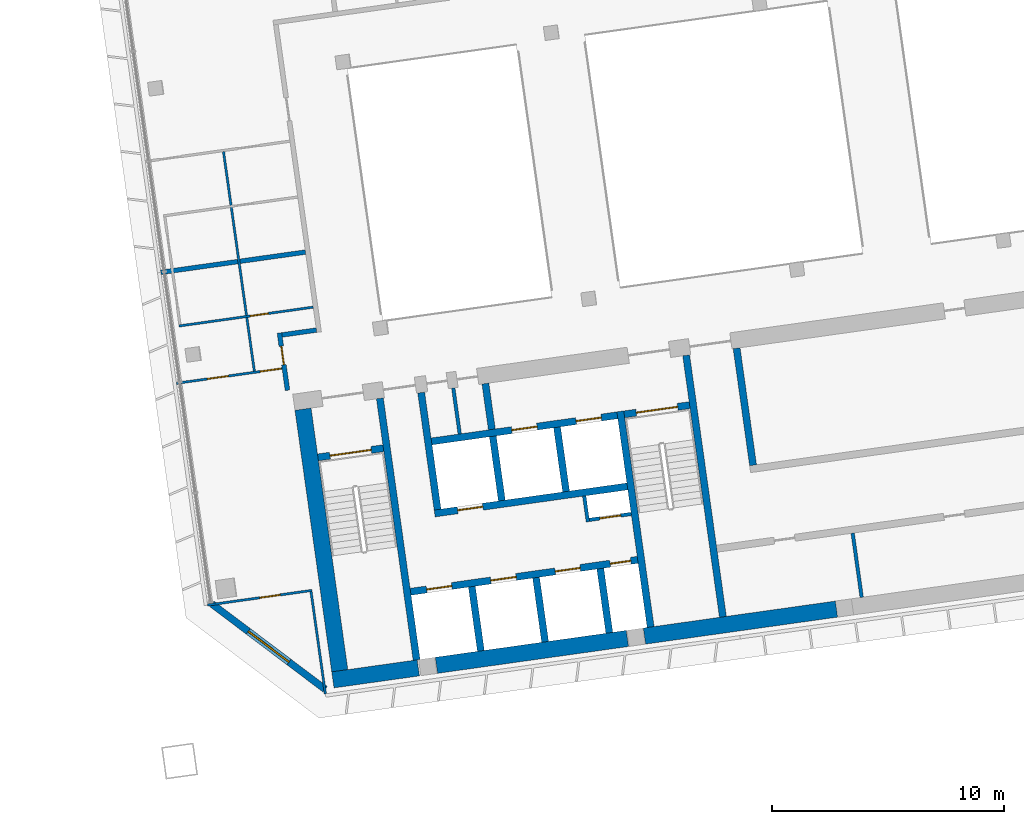
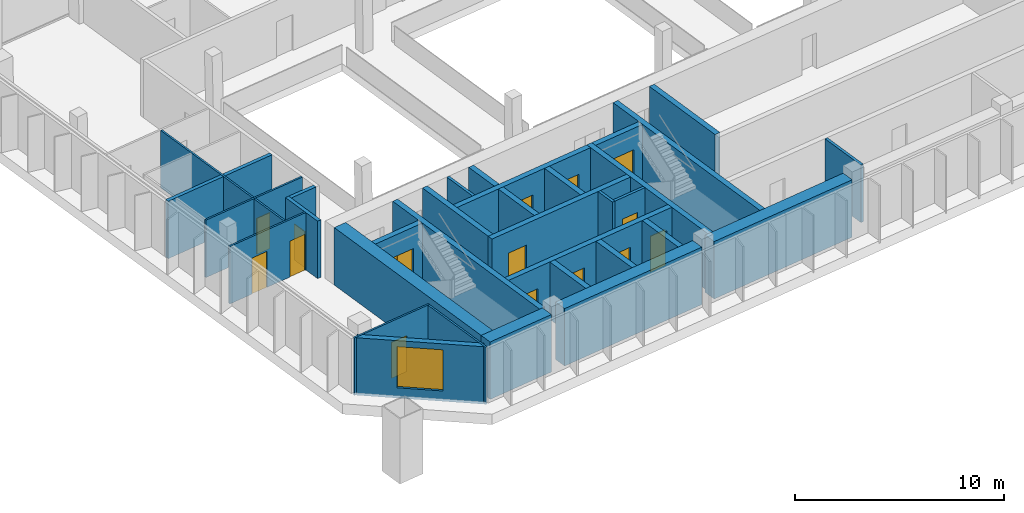
# One storey, part 21 of 28: 33 walls, 15 doors, 1 window, 16 openings.
"""IFC4 building model written with IfcOpenShell, lengths in metres."""

from ifc_helpers import new_model, si_unit, direction, frame, frame_2d, origin, place, context, subcontext, project, spatial, rectangle, extrude, material, layer, layer_set, type_object, element, fill, save


model = new_model("IFC4")

# Units and contexts
model_context = context("Model", 3, precision=1e-05, world=origin(), true_north=direction((0.0, 1.0)))
body_context = subcontext(model_context, "Body", "Model", "MODEL_VIEW")
ifc_project = project(units=[si_unit("LENGTHUNIT", "METRE"), si_unit("AREAUNIT", "SQUARE_METRE"), si_unit("VOLUMEUNIT", "CUBIC_METRE"), si_unit("PLANEANGLEUNIT", "RADIAN"), si_unit("MASSUNIT", "GRAM", prefix="KILO")], contexts=[model_context])

# Site, building, storey
site_placement = place(None, origin())
site = spatial("IfcSite", under=ifc_project, at=site_placement, CompositionType="ELEMENT")
building_placement = place(site_placement, origin())
building = spatial("IfcBuilding", under=site, at=building_placement, Name="Mirante Cascada Hotel Towers", CompositionType="ELEMENT")
storey_placement = place(building_placement, frame((0.0, 0.0, 165.0)))
storey = spatial("IfcBuildingStorey", under=building, at=storey_placement, Name="L38", CompositionType="ELEMENT", Elevation=165.0)

# Walls
ifc_material_1 = material(Name="Fire-rated plasterboard on metal studs")
ifc_layer_1 = layer(ifc_material_1, 0.2)
ifc_layer_set_1 = layer_set([ifc_layer_1], Name="Compartment wall 200 EI 120")
wall_type_1 = type_object("IfcWallType", Name="Compartment wall 200 EI 120", PredefinedType="PARTITIONING", material=ifc_layer_set_1)
wall_1_placement = place(storey_placement, frame((35.0284, -4.7267, 0.0), z_axis=(0.0, 0.0, 1.0), x_axis=(0.9902735, 0.1391343, 0.0)))
element("IfcWall", 1, at=wall_1_placement, inside=storey, type_object=wall_type_1, Name="Wall 2-L38-03", PredefinedType="PARTITIONING", context=body_context, shape_type="SweptSolid", body=[
    extrude(rectangle(XDim=1.5, YDim=0.2, at=frame_2d((0.75, 0.0))), origin(), (0.0, 0.0, 1.0), 3.35),
])
wall_2_placement = place(storey_placement, frame((29.7992, -2.0282, 0.0), z_axis=(0.0, 0.0, 1.0), x_axis=(0.9902674, 0.1391775, 0.0)))
element("IfcWall", 2, at=wall_2_placement, inside=storey, type_object=wall_type_1, Name="Wall 2-L38-07", PredefinedType="PARTITIONING", context=body_context, shape_type="SweptSolid", body=[
    extrude(rectangle(XDim=6.3027, YDim=0.2, at=frame_2d((3.1514, 0.0))), origin(), (0.0, 0.0, 1.0), 3.35),
])

# Wall, opening, door
wall_3_placement = place(storey_placement, frame((34.9155, -4.6416, 0.0), z_axis=(0.0, 0.0, 1.0), x_axis=(0.1391586, -0.9902701, 0.0)))
wall_3 = element("IfcWall", 3, at=wall_3_placement, inside=storey, type_object=wall_type_1, Name="Wall 2-L38-28", PredefinedType="PARTITIONING", context=body_context, shape_type="SweptSolid", body=[
    extrude(rectangle(XDim=2.5, YDim=0.2, at=frame_2d((1.25, 0.0))), origin(), (0.0, 0.0, 1.0), 3.35),
])
opening_1_placement = place(wall_3_placement, frame((0.5833, 0.0, 0.0)))
opening_1 = element("IfcOpeningElement", 4, at=opening_1_placement, cuts=wall_3, Name="Opening D2-L38-27", PredefinedType="OPENING", context=body_context, shape_type="SweptSolid", body=[
    extrude(rectangle(XDim=0.8, YDim=2.1, at=frame_2d((0.4, 1.05))), frame((0.0, 0.1, 0.0), z_axis=(0.0, -1.0, 0.0), x_axis=(1.0, 0.0, 0.0)), (0.0, 0.0, 1.0), 0.2),
])
ifc_material_2 = material(Name="Fire-rated timber door leaf", Category="wood")
door_type_1 = type_object("IfcDoorType", Name="Bathroom door DG4 800x2100 EI 60", OperationType="SINGLE_SWING_LEFT", PredefinedType="DOOR", material=ifc_material_2)
door_1_placement = place(opening_1_placement, origin())
door_1 = element("IfcDoor", 5, at=door_1_placement, inside=storey, type_object=door_type_1, Name="Door D2-L38-27", OperationType="SINGLE_SWING_LEFT", OverallHeight=2.1, OverallWidth=0.8, PredefinedType="DOOR", context=body_context, shape_type="SweptSolid", body=[
    extrude(rectangle(XDim=0.8, YDim=2.1, at=frame_2d((0.4, 1.05))), frame((0.0, 0.025, 0.0), z_axis=(0.0, -1.0, 0.0), x_axis=(1.0, 0.0, 0.0)), (0.0, 0.0, 1.0), 0.05),
])
fill(opening_1, door_1)

# Wall
ifc_material_3 = material(Name="Masonry block", Category="masonry")
ifc_layer_2 = layer(ifc_material_3, 0.15)
ifc_layer_set_2 = layer_set([ifc_layer_2], Name="Core room partition 150 block EI 30")
wall_type_2 = type_object("IfcWallType", Name="Core room partition 150 block EI 30", PredefinedType="PARTITIONING", material=ifc_layer_set_2)
wall_4_placement = place(storey_placement, frame((48.2295, -12.793, 0.0), z_axis=(0.0, 0.0, 1.0), x_axis=(-0.1391935, 0.9902652, 0.0)))
element("IfcWall", 6, at=wall_4_placement, inside=storey, type_object=wall_type_2, Name="Core wall partition T2 L38 2", PredefinedType="PARTITIONING", context=body_context, shape_type="SweptSolid", body=[
    extrude(rectangle(XDim=1.1251, YDim=0.15, at=frame_2d((0.5626, 0.0))), origin(), (0.0, 0.0, 1.0), 3.35),
])

# Wall, opening, door
wall_5_placement = place(storey_placement, frame((48.2933, -12.7083, 0.0), z_axis=(0.0, 0.0, 1.0), x_axis=(0.990268, 0.1391734, 0.0)))
wall_5 = element("IfcWall", 7, at=wall_5_placement, inside=storey, type_object=wall_type_2, Name="Core wall partition T2 L38 3", PredefinedType="PARTITIONING", context=body_context, shape_type="SweptSolid", body=[
    extrude(rectangle(XDim=1.8251, YDim=0.15, at=frame_2d((0.9126, 0.0))), origin(), (0.0, 0.0, 1.0), 3.35),
])
opening_2_placement = place(wall_5_placement, frame((0.4625, 0.0, 0.0)))
opening_2 = element("IfcOpeningElement", 8, at=opening_2_placement, cuts=wall_5, Name="Opening D2-38-C17", PredefinedType="OPENING", context=body_context, shape_type="SweptSolid", body=[
    extrude(rectangle(XDim=0.9, YDim=2.1, at=frame_2d((0.45, 1.05))), frame((0.0, 0.075, 0.0), z_axis=(0.0, -1.0, 0.0), x_axis=(1.0, 0.0, 0.0)), (0.0, 0.0, 1.0), 0.15),
])
ifc_material_4 = material(Name="Hollow metal fire door leaf")
door_type_2 = type_object("IfcDoorType", Name="Fire door 900x2100 FD60", OperationType="NOTDEFINED", PredefinedType="DOOR", material=ifc_material_4)
door_2_placement = place(opening_2_placement, frame((0.9, 0.0, 0.0), z_axis=(0.0, 0.0, 1.0), x_axis=(-1.0, 0.0, 0.0)))
door_2 = element("IfcDoor", 9, at=door_2_placement, inside=storey, type_object=door_type_2, Name="Riser door T2 L38 17", OperationType="SINGLE_SWING_RIGHT", OverallHeight=2.1, OverallWidth=0.9, PredefinedType="DOOR", context=body_context, shape_type="SweptSolid", body=[
    extrude(rectangle(XDim=0.9, YDim=2.1, at=frame_2d((0.45, 1.05))), frame((0.0, 0.025, 0.0), z_axis=(0.0, -1.0, 0.0), x_axis=(1.0, 0.0, 0.0)), (0.0, 0.0, 1.0), 0.05),
])
fill(opening_2, door_2)

# Walls
wall_6_placement = place(storey_placement, frame((42.6979, -9.0009, 0.0), z_axis=(0.0, 0.0, 1.0), x_axis=(-0.1391529, 0.9902709, 0.0)))
element("IfcWall", 10, at=wall_6_placement, inside=storey, type_object=wall_type_2, Name="Core wall partition T2 L38 4", PredefinedType="PARTITIONING", context=body_context, shape_type="SweptSolid", body=[
    extrude(rectangle(XDim=2.0, YDim=0.15, at=frame_2d((1.0, 0.0))), origin(), (0.0, 0.0, 1.0), 3.35),
])
wall_7_placement = place(storey_placement, frame((60.0485, -16.0548, 0.0), z_axis=(0.0, 0.0, 1.0), x_axis=(-0.139181, 0.990267, 0.0)))
element("IfcWall", 11, at=wall_7_placement, inside=storey, type_object=wall_type_2, Name="Core wall partition T2 L38 6", PredefinedType="PARTITIONING", context=body_context, shape_type="SweptSolid", body=[
    extrude(rectangle(XDim=2.8, YDim=0.15, at=frame_2d((1.4, 0.0))), origin(), (0.0, 0.0, 1.0), 3.35),
])
ifc_material_5 = material(Name="Masonry block", Category="masonry")
ifc_layer_3 = layer(ifc_material_5, 0.3)
ifc_layer_set_3 = layer_set([ifc_layer_3], Name="Core wall 300 block EI 120")
wall_type_3 = type_object("IfcWallType", Name="Core wall 300 block EI 120", PredefinedType="PARTITIONING", material=ifc_layer_set_3)
wall_8_placement = place(storey_placement, frame((44.0843, -8.8061, 0.0), z_axis=(0.0, 0.0, 1.0), x_axis=(-0.1391951, 0.990265, 0.0)))
element("IfcWall", 12, at=wall_8_placement, inside=storey, type_object=wall_type_3, Name="Core wall partition T2 L38 1", PredefinedType="PARTITIONING", context=body_context, shape_type="SweptSolid", body=[
    extrude(rectangle(XDim=2.0001, YDim=0.3, at=frame_2d((1.0001, 0.0))), origin(), (0.0, 0.0, 1.0), 3.35),
])

# Wall, opening, door
ifc_material_6 = material(Name="Plasterboard on metal studs")
ifc_layer_4 = layer(ifc_material_6, 0.1)
ifc_layer_set_4 = layer_set([ifc_layer_4], Name="Partition 100")
wall_type_4 = type_object("IfcWallType", Name="Partition 100", PredefinedType="PARTITIONING", material=ifc_layer_set_4)
wall_9_placement = place(storey_placement, frame((31.8172, -16.3871, 0.0), z_axis=(0.0, 0.0, 1.0), x_axis=(0.9902691, 0.1391656, 0.0)))
wall_9 = element("IfcWall", 13, at=wall_9_placement, inside=storey, type_object=wall_type_4, Name="Wall 2-L38-01", PredefinedType="PARTITIONING", context=body_context, shape_type="SweptSolid", body=[
    extrude(rectangle(XDim=4.55, YDim=0.1, at=frame_2d((2.275, 0.0))), origin(), (0.0, 0.0, 1.0), 3.35),
])
opening_3_placement = place(wall_9_placement, frame((2.2711, 0.0, 0.0)))
opening_3 = element("IfcOpeningElement", 14, at=opening_3_placement, cuts=wall_9, Name="Opening D2-L38-01", PredefinedType="OPENING", context=body_context, shape_type="SweptSolid", body=[
    extrude(rectangle(XDim=0.9, YDim=2.1, at=frame_2d((0.45, 1.05))), frame((0.0, 0.05, 0.0), z_axis=(0.0, -1.0, 0.0), x_axis=(1.0, 0.0, 0.0)), (0.0, 0.0, 1.0), 0.1),
])
ifc_material_7 = material(Name="Timber door leaf", Category="wood")
door_type_3 = type_object("IfcDoorType", Name="Room door DG3 900x2100", OperationType="SINGLE_SWING_LEFT", PredefinedType="DOOR", material=ifc_material_7)
door_3_placement = place(opening_3_placement, origin())
door_3 = element("IfcDoor", 15, at=door_3_placement, inside=storey, type_object=door_type_3, Name="Door D2-L38-01", OperationType="SINGLE_SWING_LEFT", OverallHeight=2.1, OverallWidth=0.9, PredefinedType="DOOR", context=body_context, shape_type="SweptSolid", body=[
    extrude(rectangle(XDim=0.9, YDim=2.1, at=frame_2d((0.45, 1.05))), frame((0.0, 0.025, 0.0), z_axis=(0.0, -1.0, 0.0), x_axis=(1.0, 0.0, 0.0)), (0.0, 0.0, 1.0), 0.05),
])
fill(opening_3, door_3)

# Wall, openings, doors
wall_10_placement = place(storey_placement, frame((35.0298, -6.1739, 0.0), z_axis=(0.0, 0.0, 1.0), x_axis=(-0.9902676, -0.1391763, 0.0)))
wall_10 = element("IfcWall", 16, at=wall_10_placement, inside=storey, type_object=wall_type_4, Name="Wall 2-L38-02", PredefinedType="PARTITIONING", context=body_context, shape_type="SweptSolid", body=[
    extrude(rectangle(XDim=4.6028, YDim=0.1, at=frame_2d((2.3014, 0.0))), origin(), (0.0, 0.0, 1.0), 3.35),
])
opening_4_placement = place(wall_10_placement, frame((2.3528, 0.0, 0.0)))
opening_4 = element("IfcOpeningElement", 17, at=opening_4_placement, cuts=wall_10, Name="Opening D2-L38-02", PredefinedType="OPENING", context=body_context, shape_type="SweptSolid", body=[
    extrude(rectangle(XDim=0.9, YDim=2.1, at=frame_2d((0.45, 1.05))), frame((0.0, 0.05, 0.0), z_axis=(0.0, -1.0, 0.0), x_axis=(1.0, 0.0, 0.0)), (0.0, 0.0, 1.0), 0.1),
])
opening_5_placement = place(wall_10_placement, frame((0.05, 0.0, 0.0)))
opening_5 = element("IfcOpeningElement", 18, at=opening_5_placement, cuts=wall_10, Name="Opening D2-L38-03", PredefinedType="OPENING", context=body_context, shape_type="SweptSolid", body=[
    extrude(rectangle(XDim=0.9, YDim=2.1, at=frame_2d((0.45, 1.05))), frame((0.0, 0.05, 0.0), z_axis=(0.0, -1.0, 0.0), x_axis=(1.0, 0.0, 0.0)), (0.0, 0.0, 1.0), 0.1),
])
door_4_placement = place(opening_4_placement, origin())
door_4 = element("IfcDoor", 19, at=door_4_placement, inside=storey, type_object=door_type_3, Name="Door D2-L38-02", OperationType="SINGLE_SWING_LEFT", OverallHeight=2.1, OverallWidth=0.9, PredefinedType="DOOR", context=body_context, shape_type="SweptSolid", body=[
    extrude(rectangle(XDim=0.9, YDim=2.1, at=frame_2d((0.45, 1.05))), frame((0.0, 0.025, 0.0), z_axis=(0.0, -1.0, 0.0), x_axis=(1.0, 0.0, 0.0)), (0.0, 0.0, 1.0), 0.05),
])
fill(opening_4, door_4)
door_5_placement = place(opening_5_placement, origin())
door_5 = element("IfcDoor", 20, at=door_5_placement, inside=storey, type_object=door_type_3, Name="Door D2-L38-03", OperationType="SINGLE_SWING_LEFT", OverallHeight=2.1, OverallWidth=0.9, PredefinedType="DOOR", context=body_context, shape_type="SweptSolid", body=[
    extrude(rectangle(XDim=0.9, YDim=2.1, at=frame_2d((0.45, 1.05))), frame((0.0, 0.025, 0.0), z_axis=(0.0, -1.0, 0.0), x_axis=(1.0, 0.0, 0.0)), (0.0, 0.0, 1.0), 0.05),
])
fill(opening_5, door_5)

# Wall, opening, door
wall_11_placement = place(storey_placement, frame((36.3747, -3.5277, 0.0), z_axis=(0.0, 0.0, 1.0), x_axis=(-0.9902696, -0.1391624, 0.0)))
wall_11 = element("IfcWall", 21, at=wall_11_placement, inside=storey, type_object=wall_type_4, Name="Wall 2-L38-06", PredefinedType="PARTITIONING", context=body_context, shape_type="SweptSolid", body=[
    extrude(rectangle(XDim=5.8514, YDim=0.1, at=frame_2d((2.9257, 0.0))), origin(), (0.0, 0.0, 1.0), 3.35),
])
opening_6_placement = place(wall_11_placement, frame((1.9514, 0.0, 0.0)))
opening_6 = element("IfcOpeningElement", 22, at=opening_6_placement, cuts=wall_11, Name="Opening D2-L38-05", PredefinedType="OPENING", context=body_context, shape_type="SweptSolid", body=[
    extrude(rectangle(XDim=0.8, YDim=2.1, at=frame_2d((0.4, 1.05))), frame((0.0, 0.05, 0.0), z_axis=(0.0, -1.0, 0.0), x_axis=(1.0, 0.0, 0.0)), (0.0, 0.0, 1.0), 0.1),
])
ifc_material_8 = material(Name="Timber door leaf", Category="wood")
door_type_4 = type_object("IfcDoorType", Name="Bathroom door DG4 800x2100", OperationType="SINGLE_SWING_LEFT", PredefinedType="DOOR", material=ifc_material_8)
door_6_placement = place(opening_6_placement, frame((0.8, 0.0, 0.0), z_axis=(0.0, 0.0, 1.0), x_axis=(-1.0, 0.0, 0.0)))
door_6 = element("IfcDoor", 23, at=door_6_placement, inside=storey, type_object=door_type_4, Name="Door D2-L38-05", OperationType="SINGLE_SWING_RIGHT", OverallHeight=2.1, OverallWidth=0.8, PredefinedType="DOOR", context=body_context, shape_type="SweptSolid", body=[
    extrude(rectangle(XDim=0.8, YDim=2.1, at=frame_2d((0.4, 1.05))), frame((0.0, 0.025, 0.0), z_axis=(0.0, -1.0, 0.0), x_axis=(1.0, 0.0, 0.0)), (0.0, 0.0, 1.0), 0.05),
])
fill(opening_6, door_6)

# Walls
wall_12_placement = place(storey_placement, frame((32.5018, 3.1819, 0.0), z_axis=(0.0, 0.0, 1.0), x_axis=(0.1391717, -0.9902683, 0.0)))
element("IfcWall", 24, at=wall_12_placement, inside=storey, type_object=wall_type_4, Name="Wall 2-L38-26", PredefinedType="PARTITIONING", context=body_context, shape_type="SweptSolid", body=[
    extrude(rectangle(XDim=9.5666, YDim=0.1, at=frame_2d((4.7833, 0.0))), origin(), (0.0, 0.0, 1.0), 3.35),
])
wall_13_placement = place(storey_placement, frame((36.8997, -20.217, 0.0), z_axis=(0.0, 0.0, 1.0), x_axis=(-0.1391904, 0.9902656, 0.0)))
element("IfcWall", 25, at=wall_13_placement, inside=storey, type_object=wall_type_4, Name="Wall 2-L38-27", PredefinedType="PARTITIONING", context=body_context, shape_type="SweptSolid", body=[
    extrude(rectangle(XDim=4.45, YDim=0.1, at=frame_2d((2.225, 0.0))), origin(), (0.0, 0.0, 1.0), 3.35),
])

# Wall, opening, window
ifc_material_9 = material(Name="Precast concrete C40/50", Category="concrete")
ifc_layer_5 = layer(ifc_material_9, 0.3)
ifc_layer_set_5 = layer_set([ifc_layer_5], Name="Precast concrete C40/50 cladding wall 300")
wall_type_5 = type_object("IfcWallType", Name="Precast concrete C40/50 cladding wall 300", PredefinedType="STANDARD", material=ifc_layer_set_5)
wall_14_placement = place(storey_placement, frame((32.0066, -16.342, 0.0), z_axis=(0.0, 0.0, 1.0), x_axis=(0.7986362, -0.6018141, 0.0)))
wall_14 = element("IfcWall", 26, at=wall_14_placement, inside=storey, type_object=wall_type_5, Name="Corner cladding wall T2 L38 inner rear", PredefinedType="STANDARD", context=body_context, shape_type="SweptSolid", body=[
    extrude(rectangle(XDim=6.1157, YDim=0.3, at=frame_2d((3.0578, 0.0))), origin(), (0.0, 0.0, 1.0), 3.35),
])
opening_7_placement = place(wall_14_placement, frame((1.9578, 0.0, 0.6)))
opening_7 = element("IfcOpeningElement", 27, at=opening_7_placement, cuts=wall_14, Name="Opening W2-38-04", PredefinedType="OPENING", context=body_context, shape_type="SweptSolid", body=[
    extrude(rectangle(XDim=2.2, YDim=2.4, at=frame_2d((1.1, 1.2))), frame((0.0, 0.15, 0.0), z_axis=(0.0, -1.0, 0.0), x_axis=(1.0, 0.0, 0.0)), (0.0, 0.0, 1.0), 0.3),
])
ifc_material_10 = material(Name="Aluminium frame with clear double glazing", Category="aluminium")
window_type = type_object("IfcWindowType", Name="Corner suite window 2200x2400", PartitioningType="DOUBLE_PANEL_VERTICAL", PredefinedType="WINDOW", material=ifc_material_10)
window_placement = place(opening_7_placement, origin())
window = element("IfcWindow", 28, at=window_placement, inside=storey, type_object=window_type, Name="Window W2-38-04", OverallHeight=2.4, OverallWidth=2.2, PartitioningType="SINGLE_PANEL", PredefinedType="WINDOW", context=body_context, shape_type="SweptSolid", body=[
    extrude(rectangle(XDim=2.2, YDim=2.4, at=frame_2d((1.1, 1.2))), frame((0.0, 0.03, 0.0), z_axis=(0.0, -1.0, 0.0), x_axis=(1.0, 0.0, 0.0)), (0.0, 0.0, 1.0), 0.06),
])
fill(opening_7, window)

# Walls
ifc_material_11 = material(Name="Concrete C50/60", Category="concrete")
ifc_layer_6 = layer(ifc_material_11, 0.3)
ifc_layer_set_6 = layer_set([ifc_layer_6], Name="RC core wall 300 C50/60")
wall_type_6 = type_object("IfcWallType", Name="RC core wall 300 C50/60", PredefinedType="SHEAR", material=ifc_layer_set_6)
wall_15_placement = place(storey_placement, frame((40.8373, -18.7548, 0.0), z_axis=(0.0, 0.0, 1.0), x_axis=(-0.1391749, 0.9902678, 0.0)))
element("IfcWall", 29, at=wall_15_placement, inside=storey, type_object=wall_type_6, Name="Core wall T2:L38:5", PredefinedType="SHEAR", context=body_context, shape_type="SweptSolid", body=[
    extrude(rectangle(XDim=11.4, YDim=0.3, at=frame_2d((5.7, 0.0))), origin(), (0.0, 0.0, 1.0), 3.35),
])
wall_16_placement = place(storey_placement, frame((50.938, -17.3352, 0.0), z_axis=(0.0, 0.0, 1.0), x_axis=(-0.1391706, 0.9902684, 0.0)))
element("IfcWall", 30, at=wall_16_placement, inside=storey, type_object=wall_type_6, Name="Core wall T2:L38:6", PredefinedType="SHEAR", context=body_context, shape_type="SweptSolid", body=[
    extrude(rectangle(XDim=9.4, YDim=0.3, at=frame_2d((4.7, 0.0))), origin(), (0.0, 0.0, 1.0), 3.35),
])
wall_17_placement = place(storey_placement, frame((54.0574, -16.8968, 0.0), z_axis=(0.0, 0.0, 1.0), x_axis=(-0.1391761, 0.9902677, 0.0)))
element("IfcWall", 31, at=wall_17_placement, inside=storey, type_object=wall_type_6, Name="Core wall T2:L38:7", PredefinedType="SHEAR", context=body_context, shape_type="SweptSolid", body=[
    extrude(rectangle(XDim=11.3999, YDim=0.3, at=frame_2d((5.7, 0.0))), origin(), (0.0, 0.0, 1.0), 3.35),
])

# Wall, opening, door
wall_18_placement = place(storey_placement, frame((36.5791, -10.0123, 0.0), z_axis=(0.0, 0.0, 1.0), x_axis=(0.9902704, 0.1391564, 0.0)))
wall_18 = element("IfcWall", 32, at=wall_18_placement, inside=storey, type_object=wall_type_6, Name="Core wall T2:L38:9", PredefinedType="SHEAR", context=body_context, shape_type="SweptSolid", body=[
    extrude(rectangle(XDim=2.85, YDim=0.3, at=frame_2d((1.425, 0.0))), origin(), (0.0, 0.0, 1.0), 3.35),
])
opening_8_placement = place(wall_18_placement, frame((0.525, 0.0, 0.0)))
opening_8 = element("IfcOpeningElement", 33, at=opening_8_placement, cuts=wall_18, Name="Opening D2-38-C07", PredefinedType="OPENING", context=body_context, shape_type="SweptSolid", body=[
    extrude(rectangle(XDim=1.8, YDim=2.1, at=frame_2d((0.9, 1.05))), frame((0.0, 0.15, 0.0), z_axis=(0.0, -1.0, 0.0), x_axis=(1.0, 0.0, 0.0)), (0.0, 0.0, 1.0), 0.3),
])
ifc_material_12 = material(Name="Hollow metal fire door leaf")
door_type_5 = type_object("IfcDoorType", Name="Double fire door 1800x2100 FD60", OperationType="DOUBLE_DOOR_SINGLE_SWING", PredefinedType="DOOR", material=ifc_material_12)
door_7_placement = place(opening_8_placement, frame((1.8, 0.0, 0.0), z_axis=(0.0, 0.0, 1.0), x_axis=(-1.0, 0.0, 0.0)))
door_7 = element("IfcDoor", 34, at=door_7_placement, inside=storey, type_object=door_type_5, Name="Stair door T2 L38 7", OperationType="DOUBLE_DOOR_SINGLE_SWING", OverallHeight=2.1, OverallWidth=1.8, PredefinedType="DOOR", context=body_context, shape_type="SweptSolid", body=[
    extrude(rectangle(XDim=0.895, YDim=2.1, at=frame_2d((0.4475, 1.05))), frame((0.0, 0.025, 0.0), z_axis=(0.0, -1.0, 0.0), x_axis=(1.0, 0.0, 0.0)), (0.0, 0.0, 1.0), 0.05),
    extrude(rectangle(XDim=0.895, YDim=2.1, at=frame_2d((1.3525, 1.05))), frame((0.0, 0.025, 0.0), z_axis=(0.0, -1.0, 0.0), x_axis=(1.0, 0.0, 0.0)), (0.0, 0.0, 1.0), 0.05),
])
fill(opening_8, door_7)

wall_19_placement = place(storey_placement, frame((49.7992, -8.1544, 0.0), z_axis=(0.0, 0.0, 1.0), x_axis=(0.9902656, 0.1391909, 0.0)))
wall_19 = element("IfcWall", 35, at=wall_19_placement, inside=storey, type_object=wall_type_6, Name="Core wall T2:L38:10", PredefinedType="SHEAR", context=body_context, shape_type="SweptSolid", body=[
    extrude(rectangle(XDim=2.85, YDim=0.3, at=frame_2d((1.425, 0.0))), origin(), (0.0, 0.0, 1.0), 3.35),
])
opening_9_placement = place(wall_19_placement, frame((0.525, 0.0, 0.0)))
opening_9 = element("IfcOpeningElement", 36, at=opening_9_placement, cuts=wall_19, Name="Opening D2-38-C09", PredefinedType="OPENING", context=body_context, shape_type="SweptSolid", body=[
    extrude(rectangle(XDim=1.8, YDim=2.1, at=frame_2d((0.9, 1.05))), frame((0.0, 0.15, 0.0), z_axis=(0.0, -1.0, 0.0), x_axis=(1.0, 0.0, 0.0)), (0.0, 0.0, 1.0), 0.3),
])
door_8_placement = place(opening_9_placement, frame((1.8, 0.0, 0.0), z_axis=(0.0, 0.0, 1.0), x_axis=(-1.0, 0.0, 0.0)))
door_8 = element("IfcDoor", 37, at=door_8_placement, inside=storey, type_object=door_type_5, Name="Stair door T2 L38 9", OperationType="DOUBLE_DOOR_SINGLE_SWING", OverallHeight=2.1, OverallWidth=1.8, PredefinedType="DOOR", context=body_context, shape_type="SweptSolid", body=[
    extrude(rectangle(XDim=0.895, YDim=2.1, at=frame_2d((0.4475, 1.05))), frame((0.0, 0.025, 0.0), z_axis=(0.0, -1.0, 0.0), x_axis=(1.0, 0.0, 0.0)), (0.0, 0.0, 1.0), 0.05),
    extrude(rectangle(XDim=0.895, YDim=2.1, at=frame_2d((1.3525, 1.05))), frame((0.0, 0.025, 0.0), z_axis=(0.0, -1.0, 0.0), x_axis=(1.0, 0.0, 0.0)), (0.0, 0.0, 1.0), 0.05),
])
fill(opening_9, door_8)

# Wall, openings, doors
wall_20_placement = place(storey_placement, frame((40.5753, -15.8126, 0.0), z_axis=(0.0, 0.0, 1.0), x_axis=(0.9902682, 0.1391725, 0.0)))
wall_20 = element("IfcWall", 38, at=wall_20_placement, inside=storey, type_object=wall_type_6, Name="Core wall T2:L38:12", PredefinedType="SHEAR", context=body_context, shape_type="SweptSolid", body=[
    extrude(rectangle(XDim=9.8999, YDim=0.3, at=frame_2d((4.95, 0.0))), origin(), (0.0, 0.0, 1.0), 3.35),
])
opening_10_placement = place(wall_20_placement, frame((0.7, 0.0, 0.0)))
opening_10 = element("IfcOpeningElement", 39, at=opening_10_placement, cuts=wall_20, Name="Opening LD", PredefinedType="OPENING", context=body_context, shape_type="SweptSolid", body=[
    extrude(rectangle(XDim=1.1, YDim=2.1, at=frame_2d((0.55, 1.05))), frame((0.0, 0.15, 0.0), z_axis=(0.0, -1.0, 0.0), x_axis=(1.0, 0.0, 0.0)), (0.0, 0.0, 1.0), 0.3),
])
opening_11_placement = place(wall_20_placement, frame((3.5, 0.0, 0.0)))
opening_11 = element("IfcOpeningElement", 40, at=opening_11_placement, cuts=wall_20, Name="Opening LD", PredefinedType="OPENING", context=body_context, shape_type="SweptSolid", body=[
    extrude(rectangle(XDim=1.1, YDim=2.1, at=frame_2d((0.55, 1.05))), frame((0.0, 0.15, 0.0), z_axis=(0.0, -1.0, 0.0), x_axis=(1.0, 0.0, 0.0)), (0.0, 0.0, 1.0), 0.3),
])
opening_12_placement = place(wall_20_placement, frame((6.3, 0.0, 0.0)))
opening_12 = element("IfcOpeningElement", 41, at=opening_12_placement, cuts=wall_20, Name="Opening LD", PredefinedType="OPENING", context=body_context, shape_type="SweptSolid", body=[
    extrude(rectangle(XDim=1.1, YDim=2.1, at=frame_2d((0.55, 1.05))), frame((0.0, 0.15, 0.0), z_axis=(0.0, -1.0, 0.0), x_axis=(1.0, 0.0, 0.0)), (0.0, 0.0, 1.0), 0.3),
])
opening_13_placement = place(wall_20_placement, frame((8.7, 0.0, 0.0)))
opening_13 = element("IfcOpeningElement", 42, at=opening_13_placement, cuts=wall_20, Name="Opening D2-38-C16", PredefinedType="OPENING", context=body_context, shape_type="SweptSolid", body=[
    extrude(rectangle(XDim=0.9, YDim=2.1, at=frame_2d((0.45, 1.05))), frame((0.0, 0.15, 0.0), z_axis=(0.0, -1.0, 0.0), x_axis=(1.0, 0.0, 0.0)), (0.0, 0.0, 1.0), 0.3),
])
door_9_placement = place(opening_13_placement, frame((0.9, 0.0, 0.0), z_axis=(0.0, 0.0, 1.0), x_axis=(-1.0, 0.0, 0.0)))
door_9 = element("IfcDoor", 43, at=door_9_placement, inside=storey, type_object=door_type_2, Name="Riser door T2 L38 16", OperationType="SINGLE_SWING_RIGHT", OverallHeight=2.1, OverallWidth=0.9, PredefinedType="DOOR", context=body_context, shape_type="SweptSolid", body=[
    extrude(rectangle(XDim=0.9, YDim=2.1, at=frame_2d((0.45, 1.05))), frame((0.0, 0.025, 0.0), z_axis=(0.0, -1.0, 0.0), x_axis=(1.0, 0.0, 0.0)), (0.0, 0.0, 1.0), 0.05),
])
fill(opening_13, door_9)
ifc_material_13 = material(Name="Stainless steel", Category="steel")
door_type_6 = type_object("IfcDoorType", Name="Lift landing door 1100x2100 EI 120", OperationType="DOUBLE_DOOR_SLIDING", PredefinedType="DOOR", material=ifc_material_13)
door_10_placement = place(opening_10_placement, origin())
door_10 = element("IfcDoor", 44, at=door_10_placement, inside=storey, type_object=door_type_6, Name="Lift landing door HR2-1 L38", OperationType="DOUBLE_DOOR_SLIDING", OverallHeight=2.1, OverallWidth=1.1, PredefinedType="DOOR", context=body_context, shape_type="SweptSolid", body=[
    extrude(rectangle(XDim=0.545, YDim=2.1, at=frame_2d((0.2725, 1.05))), frame((0.0, 0.025, 0.0), z_axis=(0.0, -1.0, 0.0), x_axis=(1.0, 0.0, 0.0)), (0.0, 0.0, 1.0), 0.05),
    extrude(rectangle(XDim=0.545, YDim=2.1, at=frame_2d((0.8275, 1.05))), frame((0.0, 0.025, 0.0), z_axis=(0.0, -1.0, 0.0), x_axis=(1.0, 0.0, 0.0)), (0.0, 0.0, 1.0), 0.05),
])
fill(opening_10, door_10)
door_11_placement = place(opening_11_placement, origin())
door_11 = element("IfcDoor", 45, at=door_11_placement, inside=storey, type_object=door_type_6, Name="Lift landing door HR2-2 L38", OperationType="DOUBLE_DOOR_SLIDING", OverallHeight=2.1, OverallWidth=1.1, PredefinedType="DOOR", context=body_context, shape_type="SweptSolid", body=[
    extrude(rectangle(XDim=0.545, YDim=2.1, at=frame_2d((0.2725, 1.05))), frame((0.0, 0.025, 0.0), z_axis=(0.0, -1.0, 0.0), x_axis=(1.0, 0.0, 0.0)), (0.0, 0.0, 1.0), 0.05),
    extrude(rectangle(XDim=0.545, YDim=2.1, at=frame_2d((0.8275, 1.05))), frame((0.0, 0.025, 0.0), z_axis=(0.0, -1.0, 0.0), x_axis=(1.0, 0.0, 0.0)), (0.0, 0.0, 1.0), 0.05),
])
fill(opening_11, door_11)
door_12_placement = place(opening_12_placement, origin())
door_12 = element("IfcDoor", 46, at=door_12_placement, inside=storey, type_object=door_type_6, Name="Lift landing door HR2-3 L38", OperationType="DOUBLE_DOOR_SLIDING", OverallHeight=2.1, OverallWidth=1.1, PredefinedType="DOOR", context=body_context, shape_type="SweptSolid", body=[
    extrude(rectangle(XDim=0.545, YDim=2.1, at=frame_2d((0.2725, 1.05))), frame((0.0, 0.025, 0.0), z_axis=(0.0, -1.0, 0.0), x_axis=(1.0, 0.0, 0.0)), (0.0, 0.0, 1.0), 0.05),
    extrude(rectangle(XDim=0.545, YDim=2.1, at=frame_2d((0.8275, 1.05))), frame((0.0, 0.025, 0.0), z_axis=(0.0, -1.0, 0.0), x_axis=(1.0, 0.0, 0.0)), (0.0, 0.0, 1.0), 0.05),
])
fill(opening_12, door_12)

# Wall, opening, door
wall_21_placement = place(storey_placement, frame((41.6153, -12.435, 0.0), z_axis=(0.0, 0.0, 1.0), x_axis=(0.9902691, 0.139166, 0.0)))
wall_21 = element("IfcWall", 47, at=wall_21_placement, inside=storey, type_object=wall_type_6, Name="Core wall T2:L38:13", PredefinedType="SHEAR", context=body_context, shape_type="SweptSolid", body=[
    extrude(rectangle(XDim=8.4, YDim=0.3, at=frame_2d((4.2, 0.0))), origin(), (0.0, 0.0, 1.0), 3.35),
])
opening_14_placement = place(wall_21_placement, frame((1.0, 0.0, 0.0)))
opening_14 = element("IfcOpeningElement", 48, at=opening_14_placement, cuts=wall_21, Name="Opening LD", PredefinedType="OPENING", context=body_context, shape_type="SweptSolid", body=[
    extrude(rectangle(XDim=1.1, YDim=2.1, at=frame_2d((0.55, 1.05))), frame((0.0, 0.15, 0.0), z_axis=(0.0, -1.0, 0.0), x_axis=(1.0, 0.0, 0.0)), (0.0, 0.0, 1.0), 0.3),
])
door_13_placement = place(opening_14_placement, origin())
door_13 = element("IfcDoor", 49, at=door_13_placement, inside=storey, type_object=door_type_6, Name="Lift landing door HR2-4 L38", OperationType="DOUBLE_DOOR_SLIDING", OverallHeight=2.1, OverallWidth=1.1, PredefinedType="DOOR", context=body_context, shape_type="SweptSolid", body=[
    extrude(rectangle(XDim=0.545, YDim=2.1, at=frame_2d((0.2725, 1.05))), frame((0.0, 0.025, 0.0), z_axis=(0.0, -1.0, 0.0), x_axis=(1.0, 0.0, 0.0)), (0.0, 0.0, 1.0), 0.05),
    extrude(rectangle(XDim=0.545, YDim=2.1, at=frame_2d((0.8275, 1.05))), frame((0.0, 0.025, 0.0), z_axis=(0.0, -1.0, 0.0), x_axis=(1.0, 0.0, 0.0)), (0.0, 0.0, 1.0), 0.05),
])
fill(opening_14, door_13)

# Wall, openings, doors
wall_22_placement = place(storey_placement, frame((41.481, -9.3234, 0.0), z_axis=(0.0, 0.0, 1.0), x_axis=(0.9902679, 0.1391741, 0.0)))
wall_22 = element("IfcWall", 50, at=wall_22_placement, inside=storey, type_object=wall_type_6, Name="Core wall T2:L38:14", PredefinedType="SHEAR", context=body_context, shape_type="SweptSolid", body=[
    extrude(rectangle(XDim=8.0999, YDim=0.3, at=frame_2d((4.05, 0.0))), origin(), (0.0, 0.0, 1.0), 3.35),
])
opening_15_placement = place(wall_22_placement, frame((3.5, 0.0, 0.0)))
opening_15 = element("IfcOpeningElement", 51, at=opening_15_placement, cuts=wall_22, Name="Opening LD", PredefinedType="OPENING", context=body_context, shape_type="SweptSolid", body=[
    extrude(rectangle(XDim=1.1, YDim=2.1, at=frame_2d((0.55, 1.05))), frame((0.0, 0.15, 0.0), z_axis=(0.0, -1.0, 0.0), x_axis=(1.0, 0.0, 0.0)), (0.0, 0.0, 1.0), 0.3),
])
opening_16_placement = place(wall_22_placement, frame((6.3, 0.0, 0.0)))
opening_16 = element("IfcOpeningElement", 52, at=opening_16_placement, cuts=wall_22, Name="Opening LD", PredefinedType="OPENING", context=body_context, shape_type="SweptSolid", body=[
    extrude(rectangle(XDim=1.1, YDim=2.1, at=frame_2d((0.55, 1.05))), frame((0.0, 0.15, 0.0), z_axis=(0.0, -1.0, 0.0), x_axis=(1.0, 0.0, 0.0)), (0.0, 0.0, 1.0), 0.3),
])
door_14_placement = place(opening_15_placement, origin())
door_14 = element("IfcDoor", 53, at=door_14_placement, inside=storey, type_object=door_type_6, Name="Lift landing door FF3 L38", OperationType="DOUBLE_DOOR_SLIDING", OverallHeight=2.1, OverallWidth=1.1, PredefinedType="DOOR", context=body_context, shape_type="SweptSolid", body=[
    extrude(rectangle(XDim=0.545, YDim=2.1, at=frame_2d((0.2725, 1.05))), frame((0.0, 0.025, 0.0), z_axis=(0.0, -1.0, 0.0), x_axis=(1.0, 0.0, 0.0)), (0.0, 0.0, 1.0), 0.05),
    extrude(rectangle(XDim=0.545, YDim=2.1, at=frame_2d((0.8275, 1.05))), frame((0.0, 0.025, 0.0), z_axis=(0.0, -1.0, 0.0), x_axis=(1.0, 0.0, 0.0)), (0.0, 0.0, 1.0), 0.05),
])
fill(opening_15, door_14)
door_15_placement = place(opening_16_placement, origin())
door_15 = element("IfcDoor", 54, at=door_15_placement, inside=storey, type_object=door_type_6, Name="Lift landing door FF4 L38", OperationType="DOUBLE_DOOR_SLIDING", OverallHeight=2.1, OverallWidth=1.1, PredefinedType="DOOR", context=body_context, shape_type="SweptSolid", body=[
    extrude(rectangle(XDim=0.545, YDim=2.1, at=frame_2d((0.2725, 1.05))), frame((0.0, 0.025, 0.0), z_axis=(0.0, -1.0, 0.0), x_axis=(1.0, 0.0, 0.0)), (0.0, 0.0, 1.0), 0.05),
    extrude(rectangle(XDim=0.545, YDim=2.1, at=frame_2d((0.8275, 1.05))), frame((0.0, 0.025, 0.0), z_axis=(0.0, -1.0, 0.0), x_axis=(1.0, 0.0, 0.0)), (0.0, 0.0, 1.0), 0.05),
])
fill(opening_16, door_15)

# Walls
wall_23_placement = place(storey_placement, frame((43.61, -18.3651, 0.0), z_axis=(0.0, 0.0, 1.0), x_axis=(-0.1391459, 0.9902719, 0.0)))
element("IfcWall", 55, at=wall_23_placement, inside=storey, type_object=wall_type_6, Name="Core wall T2:L38:15", PredefinedType="SHEAR", context=body_context, shape_type="SweptSolid", body=[
    extrude(rectangle(XDim=2.7999, YDim=0.3, at=frame_2d((1.4, 0.0))), origin(), (0.0, 0.0, 1.0), 3.35),
])
wall_24_placement = place(storey_placement, frame((46.3828, -17.9754, 0.0), z_axis=(0.0, 0.0, 1.0), x_axis=(-0.139181, 0.990267, 0.0)))
element("IfcWall", 56, at=wall_24_placement, inside=storey, type_object=wall_type_6, Name="Core wall T2:L38:16", PredefinedType="SHEAR", context=body_context, shape_type="SweptSolid", body=[
    extrude(rectangle(XDim=2.8, YDim=0.3, at=frame_2d((1.4, 0.0))), origin(), (0.0, 0.0, 1.0), 3.35),
])
wall_25_placement = place(storey_placement, frame((49.1555, -17.5857, 0.0), z_axis=(0.0, 0.0, 1.0), x_axis=(-0.1391459, 0.9902719, 0.0)))
element("IfcWall", 57, at=wall_25_placement, inside=storey, type_object=wall_type_6, Name="Core wall T2:L38:17", PredefinedType="SHEAR", context=body_context, shape_type="SweptSolid", body=[
    extrude(rectangle(XDim=2.7999, YDim=0.3, at=frame_2d((1.4, 0.0))), origin(), (0.0, 0.0, 1.0), 3.35),
])
for number, where, z_axis, x_axis, name in (
    (58, (44.5157, -11.8759, 0.0), (0.0, 0.0, 1.0), (-0.139181, 0.990267, 0.0), "Core wall T2:L38:18"),
    (59, (47.2885, -11.4862, 0.0), (0.0, 0.0, 1.0), (-0.139181, 0.990267, 0.0), "Core wall T2:L38:19"),
):
    element("IfcWall", number, at=place(storey_placement, frame(where, z_axis=z_axis, x_axis=x_axis)), inside=storey, type_object=wall_type_6, Name=name, PredefinedType="SHEAR", context=body_context, shape_type="SweptSolid", body=[
        extrude(rectangle(XDim=2.8, YDim=0.3, at=frame_2d((1.4, 0.0))), origin(), (0.0, 0.0, 1.0), 3.35),
    ])
for number, where, z_axis, x_axis, name in (
    (60, (41.743, -12.2656, 0.0), (0.0, 0.0, 1.0), (-0.1391755, 0.9902677, 0.0), "Core wall T2:L38:20"),
    (61, (55.3592, -10.352, 0.0), (0.0, 0.0, 1.0), (-0.1391755, 0.9902677, 0.0), "Core wall T2:L38:30"),
):
    element("IfcWall", number, at=place(storey_placement, frame(where, z_axis=z_axis, x_axis=x_axis)), inside=storey, type_object=wall_type_6, Name=name, PredefinedType="SHEAR", context=body_context, shape_type="SweptSolid", body=[
        extrude(rectangle(XDim=5.1, YDim=0.3, at=frame_2d((2.55, 0.0))), origin(), (0.0, 0.0, 1.0), 3.35),
    ])
ifc_material_14 = material(Name="Concrete C50/60", Category="concrete")
ifc_layer_7 = layer(ifc_material_14, 0.7)
ifc_layer_set_7 = layer_set([ifc_layer_7], Name="RC core wall 700 C50/60")
wall_type_7 = type_object("IfcWallType", Name="RC core wall 700 C50/60", PredefinedType="SHEAR", material=ifc_layer_set_7)
wall_26_placement = place(storey_placement, frame((37.222, -19.6163, 0.0), z_axis=(0.0, 0.0, 1.0), x_axis=(0.990268, 0.1391734, 0.0)))
element("IfcWall", 62, at=wall_26_placement, inside=storey, type_object=wall_type_7, Name="Core wall T2:L38:1.1", PredefinedType="SHEAR", context=body_context, shape_type="SweptSolid", body=[
    extrude(rectangle(XDim=3.7249, YDim=0.7, at=frame_2d((1.8624, 0.0))), origin(), (0.0, 0.0, 1.0), 3.35),
])
wall_27_placement = place(storey_placement, frame((41.6928, -18.988, 0.0), z_axis=(0.0, 0.0, 1.0), x_axis=(0.990268, 0.1391736, 0.0)))
element("IfcWall", 63, at=wall_27_placement, inside=storey, type_object=wall_type_7, Name="Core wall T2:L38:1.2", PredefinedType="SHEAR", context=body_context, shape_type="SweptSolid", body=[
    extrude(rectangle(XDim=8.3227, YDim=0.7, at=frame_2d((4.1614, 0.0))), origin(), (0.0, 0.0, 1.0), 3.35),
])
wall_28_placement = place(storey_placement, frame((50.6722, -17.726, 0.0), z_axis=(0.0, 0.0, 1.0), x_axis=(0.9902689, 0.1391673, 0.0)))
element("IfcWall", 64, at=wall_28_placement, inside=storey, type_object=wall_type_7, Name="Core wall T2:L38:1.3", PredefinedType="SHEAR", context=body_context, shape_type="SweptSolid", body=[
    extrude(rectangle(XDim=8.3676, YDim=0.7, at=frame_2d((4.1838, 0.0))), origin(), (0.0, 0.0, 1.0), 3.35),
])
wall_29_placement = place(storey_placement, frame((37.5199, -19.221, 0.0), z_axis=(0.0, 0.0, 1.0), x_axis=(-0.1391761, 0.9902677, 0.0)))
element("IfcWall", 65, at=wall_29_placement, inside=storey, type_object=wall_type_7, Name="Core wall T2:L38:3", PredefinedType="SHEAR", context=body_context, shape_type="SweptSolid", body=[
    extrude(rectangle(XDim=11.3999, YDim=0.7, at=frame_2d((5.7, 0.0))), origin(), (0.0, 0.0, 1.0), 3.35),
])

save(model, "model.ifc")
